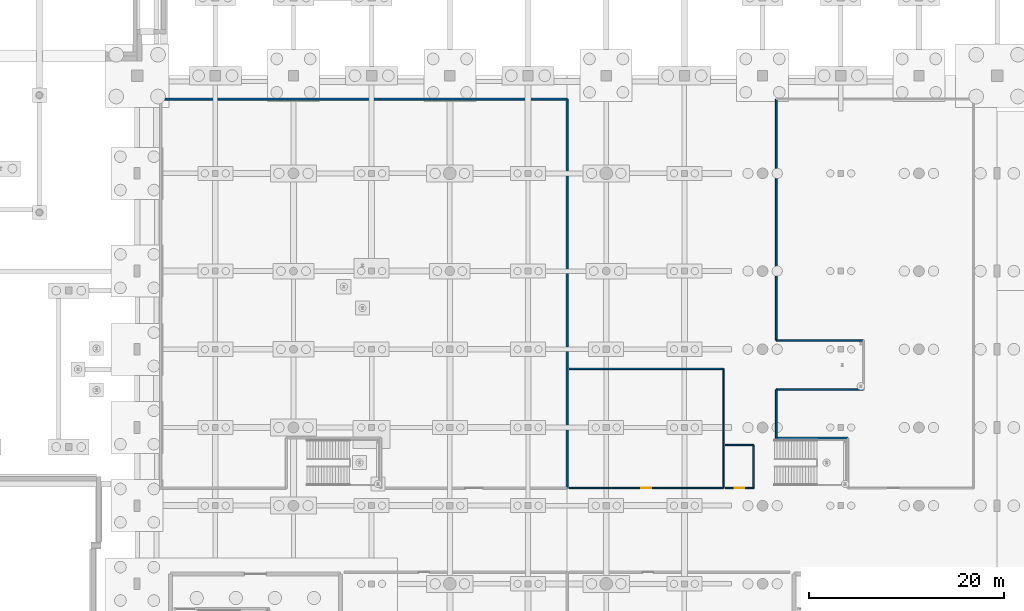
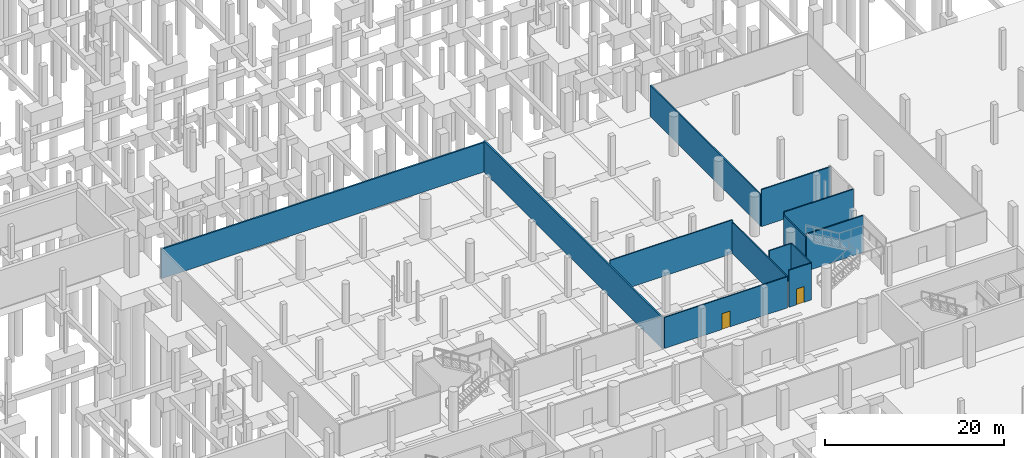
# One storey, part 51 of 65: 13 walls, 2 doors, 2 openings.
"""IFC4 building model written with IfcOpenShell, lengths in metres."""

from ifc_helpers import new_model, si_unit, direction, frame, frame_2d, origin, place, context, subcontext, project, spatial, rectangle, extrude, material, layer, layer_set, type_object, element, fill, save


model = new_model("IFC4")

# Units and contexts
model_context = context("Model", 3, precision=1e-05, world=origin(), true_north=direction((0.0, 1.0)))
body_context = subcontext(model_context, "Body", "Model", "MODEL_VIEW")
ifc_project = project(units=[si_unit("LENGTHUNIT", "METRE"), si_unit("AREAUNIT", "SQUARE_METRE"), si_unit("VOLUMEUNIT", "CUBIC_METRE"), si_unit("PLANEANGLEUNIT", "RADIAN"), si_unit("MASSUNIT", "GRAM", prefix="KILO")], contexts=[model_context])

# Site, building, storey
site_placement = place(None, origin())
site = spatial("IfcSite", under=ifc_project, at=site_placement, CompositionType="ELEMENT")
building_placement = place(site_placement, origin())
building = spatial("IfcBuilding", under=site, at=building_placement, Name="Khorjan Park Terminus", CompositionType="ELEMENT")
storey_placement = place(building_placement, frame((0.0, 0.0, -5.4)))
storey = spatial("IfcBuildingStorey", under=building, at=storey_placement, Name="B1", CompositionType="ELEMENT", Elevation=-5.4)

# Walls
ifc_material_1 = material(Name="Moisture-Resistant Sanitary Partition")
ifc_layer_1 = layer(ifc_material_1, 0.14)
ifc_layer_set_1 = layer_set([ifc_layer_1], Name="Moisture-Resistant Sanitary Partition")
wall_type_1 = type_object("IfcWallType", Name="PT-14", PredefinedType="PARTITIONING", material=ifc_layer_set_1)
wall_1_placement = place(storey_placement, frame((92.2, 58.0, 0.0), z_axis=(0.0, 0.0, 1.0), x_axis=(1.0, 0.0, 0.0)))
element("IfcWall", 1, at=wall_1_placement, inside=storey, type_object=wall_type_1, Name="Interior acoustic partition PT-14 (B1-WCT)", PredefinedType="PARTITIONING", context=body_context, shape_type="SweptSolid", body=[
    extrude(rectangle(XDim=15.8, YDim=0.14, at=frame_2d((7.9, 0.0))), origin(), (0.0, 0.0, 1.0), 4.575),
])
wall_2_placement = place(storey_placement, frame((108.0, 58.0, 0.0), z_axis=(0.0, 0.0, 1.0), x_axis=(0.0, -1.0, 0.0)))
element("IfcWall", 2, at=wall_2_placement, inside=storey, type_object=wall_type_1, Name="Interior acoustic partition PT-14 (B1-WCT)", PredefinedType="PARTITIONING", context=body_context, shape_type="SweptSolid", body=[
    extrude(rectangle(XDim=12.2, YDim=0.14, at=frame_2d((6.1, 0.0))), origin(), (0.0, 0.0, 1.0), 4.275),
])

# Wall, opening, door
wall_3_placement = place(storey_placement, frame((108.0, 45.8, 0.0), z_axis=(0.0, 0.0, 1.0), x_axis=(-1.0, 0.0, 0.0)))
wall_3 = element("IfcWall", 3, at=wall_3_placement, inside=storey, type_object=wall_type_1, Name="Interior acoustic partition PT-14 (B1-WCT)", PredefinedType="PARTITIONING", context=body_context, shape_type="SweptSolid", body=[
    extrude(rectangle(XDim=15.8, YDim=0.14, at=frame_2d((7.9, 0.0))), origin(), (0.0, 0.0, 1.0), 4.225),
])
opening_1_placement = place(wall_3_placement, frame((7.4, 0.0, 0.0)))
opening_1 = element("IfcOpeningElement", 4, at=opening_1_placement, cuts=wall_3, Name="Opening ID-10", PredefinedType="OPENING", context=body_context, shape_type="SweptSolid", body=[
    extrude(rectangle(XDim=1.0, YDim=2.15, at=frame_2d((0.5, 1.075))), frame((0.0, 0.08, 0.0), z_axis=(0.0, -1.0, 0.0), x_axis=(1.0, 0.0, 0.0)), (0.0, 0.0, 1.0), 0.16),
])
ifc_material_2 = material(Name="Acoustic Fire-Rated Single Door")
door_type = type_object("IfcDoorType", Name="ID-10", OperationType="NOTDEFINED", PredefinedType="DOOR", material=ifc_material_2)
door_1_placement = place(opening_1_placement, origin())
door_1 = element("IfcDoor", 5, at=door_1_placement, inside=storey, type_object=door_type, Name="Interior door ID-10 (B1-WCT)", OperationType="SINGLE_SWING_LEFT", OverallHeight=2.15, OverallWidth=1.0, PredefinedType="DOOR", context=body_context, shape_type="SweptSolid", body=[
    extrude(rectangle(XDim=1.0, YDim=2.15, at=frame_2d((0.5, 1.075))), frame((0.0, 0.025, 0.0), z_axis=(0.0, -1.0, 0.0), x_axis=(1.0, 0.0, 0.0)), (0.0, 0.0, 1.0), 0.05),
])
fill(opening_1, door_1)

# Walls
wall_4_placement = place(storey_placement, frame((108.2, 50.2, 0.0), z_axis=(0.0, 0.0, 1.0), x_axis=(1.0, 0.0, 0.0)))
element("IfcWall", 6, at=wall_4_placement, inside=storey, type_object=wall_type_1, Name="Interior acoustic partition PT-14 (B1-AWC)", PredefinedType="PARTITIONING", context=body_context, shape_type="SweptSolid", body=[
    extrude(rectangle(XDim=2.88, YDim=0.14, at=frame_2d((1.44, 0.0))), origin(), (0.0, 0.0, 1.0), 5.02),
])
wall_5_placement = place(storey_placement, frame((111.08, 50.2, 0.0), z_axis=(0.0, 0.0, 1.0), x_axis=(0.0, -1.0, 0.0)))
element("IfcWall", 7, at=wall_5_placement, inside=storey, type_object=wall_type_1, Name="Interior acoustic partition PT-14 (B1-AWC)", PredefinedType="PARTITIONING", context=body_context, shape_type="SweptSolid", body=[
    extrude(rectangle(XDim=4.4, YDim=0.14, at=frame_2d((2.2, 0.0))), origin(), (0.0, 0.0, 1.0), 5.02),
])

# Wall, opening, door
wall_6_placement = place(storey_placement, frame((111.08, 45.8, 0.0), z_axis=(0.0, 0.0, 1.0), x_axis=(-1.0, 0.0, 0.0)))
wall_6 = element("IfcWall", 8, at=wall_6_placement, inside=storey, type_object=wall_type_1, Name="Interior acoustic partition PT-14 (B1-AWC)", PredefinedType="PARTITIONING", context=body_context, shape_type="SweptSolid", body=[
    extrude(rectangle(XDim=2.88, YDim=0.14, at=frame_2d((1.44, 0.0))), origin(), (0.0, 0.0, 1.0), 5.02),
])
opening_2_placement = place(wall_6_placement, frame((0.94, 0.0, 0.0)))
opening_2 = element("IfcOpeningElement", 9, at=opening_2_placement, cuts=wall_6, Name="Opening ID-10", PredefinedType="OPENING", context=body_context, shape_type="SweptSolid", body=[
    extrude(rectangle(XDim=1.0, YDim=2.15, at=frame_2d((0.5, 1.075))), frame((0.0, 0.08, 0.0), z_axis=(0.0, -1.0, 0.0), x_axis=(1.0, 0.0, 0.0)), (0.0, 0.0, 1.0), 0.16),
])
door_2_placement = place(opening_2_placement, origin())
door_2 = element("IfcDoor", 10, at=door_2_placement, inside=storey, type_object=door_type, Name="Interior door ID-10 (B1-AWC)", OperationType="SINGLE_SWING_RIGHT", OverallHeight=2.15, OverallWidth=1.0, PredefinedType="DOOR", context=body_context, shape_type="SweptSolid", body=[
    extrude(rectangle(XDim=1.0, YDim=2.15, at=frame_2d((0.5, 1.075))), frame((0.0, 0.025, 0.0), z_axis=(0.0, -1.0, 0.0), x_axis=(1.0, 0.0, 0.0)), (0.0, 0.0, 1.0), 0.05),
])
fill(opening_2, door_2)

# Walls
ifc_material_3 = material(Name="Insulated Metal-Stud Acoustic Partition")
ifc_layer_2 = layer(ifc_material_3, 0.16)
ifc_layer_set_2 = layer_set([ifc_layer_2], Name="Insulated Metal-Stud Acoustic Partition")
wall_type_2 = type_object("IfcWallType", Name="PT-16", PredefinedType="PARTITIONING", material=ifc_layer_set_2)
wall_7_placement = place(storey_placement, frame((120.72, 50.92, 0.0), z_axis=(0.0, 0.0, 1.0), x_axis=(-1.0, 0.0, 0.0)))
element("IfcWall", 11, at=wall_7_placement, inside=storey, type_object=wall_type_2, Name="Interior acoustic partition PT-16 (B1-STRG)", PredefinedType="PARTITIONING", context=body_context, shape_type="SweptSolid", body=[
    extrude(rectangle(XDim=7.32, YDim=0.16, at=frame_2d((3.66, 0.0))), origin(), (0.0, 0.0, 1.0), 5.02),
])
wall_8_placement = place(storey_placement, frame((113.4, 50.92, 0.0), z_axis=(0.0, 0.0, 1.0), x_axis=(0.0, 1.0, 0.0)))
element("IfcWall", 12, at=wall_8_placement, inside=storey, type_object=wall_type_2, Name="Interior acoustic partition PT-16 (B1-STRG)", PredefinedType="PARTITIONING", context=body_context, shape_type="SweptSolid", body=[
    extrude(rectangle(XDim=4.96, YDim=0.16, at=frame_2d((2.48, 0.0))), origin(), (0.0, 0.0, 1.0), 4.585),
])
for number, where, z_axis, x_axis, name in (
    (13, (113.4, 55.88, 0.0), (0.0, 0.0, 1.0), (1.0, 0.0, 0.0), "Interior acoustic partition PT-16 (B1-STRG)"),
    (14, (122.32, 60.92, 0.0), (0.0, 0.0, 1.0), (-1.0, 0.0, 0.0), "Interior acoustic partition PT-16 (B1-STRG)"),
):
    element("IfcWall", number, at=place(storey_placement, frame(where, z_axis=z_axis, x_axis=x_axis)), inside=storey, type_object=wall_type_2, Name=name, PredefinedType="PARTITIONING", context=body_context, shape_type="SweptSolid", body=[
        extrude(rectangle(XDim=8.92, YDim=0.16, at=frame_2d((4.46, 0.0))), origin(), (0.0, 0.0, 1.0), 5.02),
    ])
wall_9_placement = place(storey_placement, frame((113.4, 60.92, 0.0), z_axis=(0.0, 0.0, 1.0), x_axis=(0.0, 1.0, 0.0)))
element("IfcWall", 15, at=wall_9_placement, inside=storey, type_object=wall_type_2, Name="Interior acoustic partition PT-16 (B1-STRG)", PredefinedType="PARTITIONING", context=body_context, shape_type="SweptSolid", body=[
    extrude(rectangle(XDim=24.68, YDim=0.16, at=frame_2d((12.34, 0.0))), origin(), (0.0, 0.0, 1.0), 4.275),
])
ifc_material_4 = material(Name="Fire-Rated Acoustic Masonry & Drywall", Category="masonry")
ifc_layer_3 = layer(ifc_material_4, 0.2)
ifc_layer_set_3 = layer_set([ifc_layer_3], Name="Fire-Rated Acoustic Masonry & Drywall")
wall_type_3 = type_object("IfcWallType", Name="PT-20", PredefinedType="PARTITIONING", material=ifc_layer_set_3)
wall_10_placement = place(storey_placement, frame((50.4, 85.6, 0.0), z_axis=(0.0, 0.0, 1.0), x_axis=(1.0, 0.0, 0.0)))
element("IfcWall", 16, at=wall_10_placement, inside=storey, type_object=wall_type_3, Name="Interior acoustic partition PT-20 (B1-BAG)", PredefinedType="PARTITIONING", context=body_context, shape_type="SweptSolid", body=[
    extrude(rectangle(XDim=41.6, YDim=0.2, at=frame_2d((20.8, 0.0))), origin(), (0.0, 0.0, 1.0), 4.015),
])
wall_11_placement = place(storey_placement, frame((92.0, 85.6, 0.0), z_axis=(0.0, 0.0, 1.0), x_axis=(0.0, -1.0, 0.0)))
element("IfcWall", 17, at=wall_11_placement, inside=storey, type_object=wall_type_3, Name="Interior acoustic partition PT-20 (B1-BAG)", PredefinedType="PARTITIONING", context=body_context, shape_type="SweptSolid", body=[
    extrude(rectangle(XDim=39.8, YDim=0.2, at=frame_2d((19.9, 0.0))), origin(), (0.0, 0.0, 1.0), 4.215),
])

save(model, "model.ifc")
